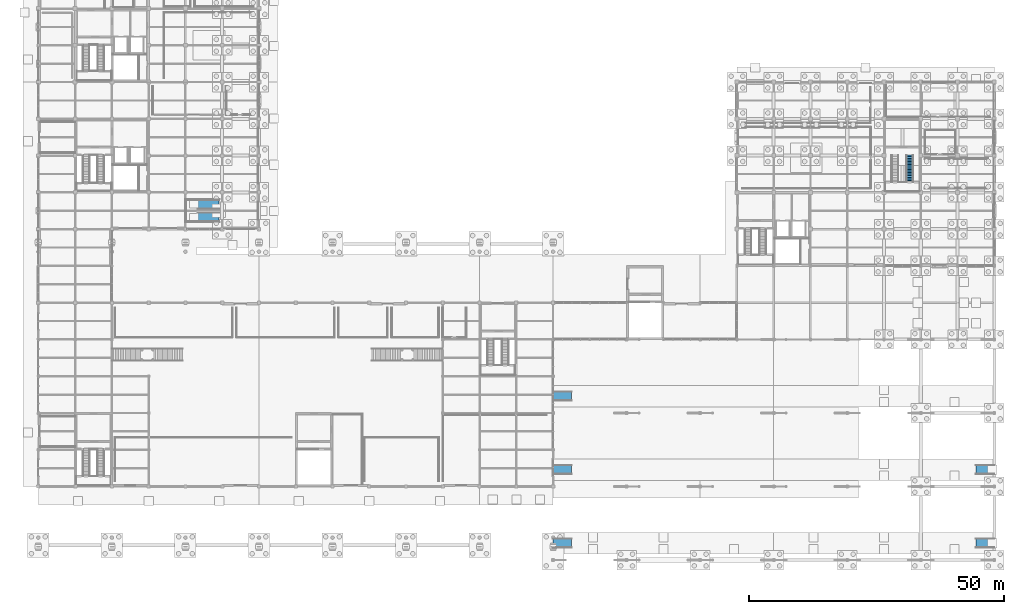
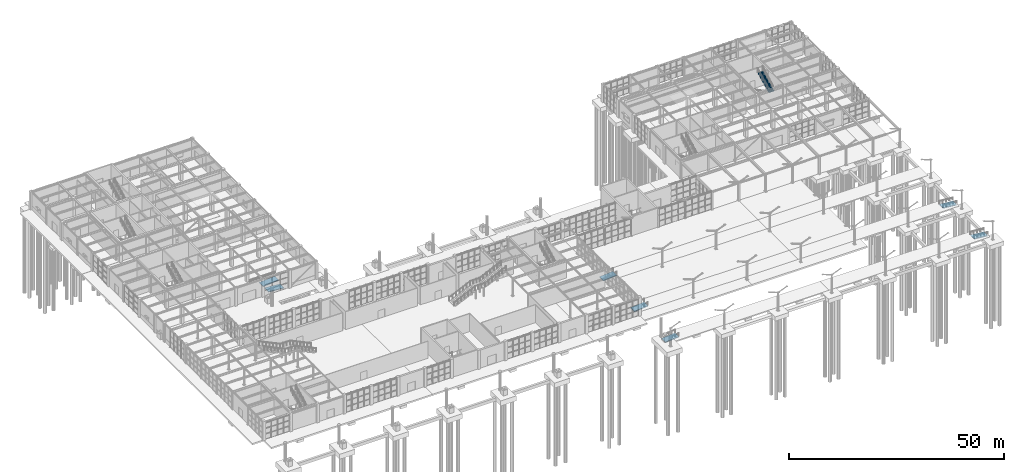
# One storey, part 65 of 75: 7 ramp flights, 1 stair flight, 7 elements without a shape of their own.
"""IFC4 building model written with IfcOpenShell, lengths in metres."""

from ifc_helpers import new_model, si_unit, direction, frame, origin, place, context, subcontext, project, spatial, polyline, outline, extrude, material, layer, layer_set, type_object, element, aggregate, save


model = new_model("IFC4")

# Units and contexts
model_context = context("Model", 3, precision=1e-05, world=origin(), true_north=direction((0.0, 1.0)))
body_context = subcontext(model_context, "Body", "Model", "MODEL_VIEW")
ifc_project = project(units=[si_unit("LENGTHUNIT", "METRE"), si_unit("AREAUNIT", "SQUARE_METRE"), si_unit("VOLUMEUNIT", "CUBIC_METRE"), si_unit("PLANEANGLEUNIT", "RADIAN"), si_unit("MASSUNIT", "GRAM", prefix="KILO")], contexts=[model_context])

# Site, building, storey
site_placement = place(None, origin())
site = spatial("IfcSite", under=ifc_project, at=site_placement, CompositionType="ELEMENT")
building_placement = place(site_placement, origin())
building = spatial("IfcBuilding", under=site, at=building_placement, Name="Leyfeld Transit Interchange", CompositionType="ELEMENT")
storey_placement = place(building_placement, origin())
storey = spatial("IfcBuildingStorey", under=building, at=storey_placement, Name="L00", CompositionType="ELEMENT", Elevation=0.0)

# Stair, stair flight
ifc_material_1 = material(Name="Precast concrete C40/50", Category="concrete")
stair_type = type_object("IfcStairType", Name="STR-HT-150x310", PredefinedType="HALF_TURN_STAIR", material=ifc_material_1)
stair_placement = place(storey_placement, origin())
stair = element("IfcStair", 1, at=stair_placement, inside=storey, type_object=stair_type, Name="Exit Stair ST-05 (L00 to L01)", PredefinedType="HALF_TURN_STAIR")
ifc_layer_1 = layer(ifc_material_1, 0.199951171875, Name="Precast concrete C40/50")
ifc_layer_set_1 = layer_set([ifc_layer_1], Name="Precast concrete C40/50")
stair_flight_type = type_object("IfcStairFlightType", Name="FLT-1400", PredefinedType="STRAIGHT", material=ifc_layer_set_1)
stair_flight_placement = place(storey_placement, frame((170.64990234375, 74.030029296875, 2.699951171875), z_axis=(0.0, 0.0, 1.0), x_axis=(0.0, 1.0, 0.0)))
stair_flight = element("IfcStairFlight", 2, at=stair_flight_placement, type_object=stair_flight_type, Name="Stair ST-05 L00 Flight 2", NumberOfRisers=18, NumberOfTreads=17, PredefinedType="STRAIGHT", RiserHeight=0.15, TreadLength=0.31, context=body_context, shape_type="SweptSolid", body=[
    extrude(outline(polyline([(0.0, 0.0), (0.0, 0.14990234375), (0.31005859375, 0.14990234375), (0.31005859375, 0.300048828125), (0.6201171875, 0.300048828125), (0.6201171875, 0.449951171875), (0.929931640625, 0.449951171875), (0.929931640625, 0.60009765625), (1.239990234375, 0.60009765625), (1.239990234375, 0.75), (1.550048828125, 0.75), (1.550048828125, 0.89990234375), (1.860107421875, 0.89990234375), (1.860107421875, 1.050048828125), (2.169921875, 1.050048828125), (2.169921875, 1.199951171875), (2.47998046875, 1.199951171875), (2.47998046875, 1.35009765625), (2.7900390625, 1.35009765625), (2.7900390625, 1.5), (3.10009765625, 1.5), (3.10009765625, 1.64990234375), (3.409912109375, 1.64990234375), (3.409912109375, 1.800048828125), (3.719970703125, 1.800048828125), (3.719970703125, 1.949951171875), (4.030029296875, 1.949951171875), (4.030029296875, 2.10009765625), (4.340087890625, 2.10009765625), (4.340087890625, 2.25), (4.64990234375, 2.25), (4.64990234375, 2.39990234375), (4.9599609375, 2.39990234375), (4.9599609375, 2.550048828125), (5.27001953125, 2.550048828125), (5.27001953125, 2.699951171875), (5.27001953125, 2.327880859375), (0.458984375, 0.0), (0.0, 0.0)])), frame((0.0, 0.699951171875, 0.0), z_axis=(0.0, -1.0, 0.0), x_axis=(1.0, 0.0, 0.0)), (0.0, 0.0, 1.0), 1.39990234375),
])
aggregate(stair, [stair_flight])

# Ramp, ramp flight
ifc_material_2 = material(Name="Concrete C35/45", Category="concrete")
ramp_type_1 = type_object("IfcRampType", Name="RMP-ACC-SR", PredefinedType="STRAIGHT_RUN_RAMP", material=ifc_material_2)
ramp_1_placement = place(storey_placement, origin())
ramp_1 = element("IfcRamp", 3, at=ramp_1_placement, inside=storey, type_object=ramp_type_1, Name="Bus Platform ISL1W Accessible Kerb Ramp", PredefinedType="STRAIGHT_RUN_RAMP")
ifc_layer_2 = layer(ifc_material_2, 0.219970703125, Name="Concrete C35/45")
ifc_layer_set_2 = layer_set([ifc_layer_2], Name="Concrete C35/45")
ramp_flight_type_1 = type_object("IfcRampFlightType", Name="RFLT-ACC-1800", PredefinedType="STRAIGHT", material=ifc_layer_set_2)
ramp_flight_1_placement = place(storey_placement, frame((100.800048828125, 3.300048828125, -0.300048828125), z_axis=(0.0, 0.0, 1.0), x_axis=(1.0, 0.0, 0.0)))
ramp_flight_1 = element("IfcRampFlight", 4, at=ramp_flight_1_placement, type_object=ramp_flight_type_1, Name="Bus Platform ISL1W Accessible 1:12 Ramp Flight", PredefinedType="STRAIGHT", context=body_context, shape_type="SweptSolid", body=[
    extrude(outline(polyline([(0.0, 0.0), (3.599853515625, 0.300048828125), (3.599853515625, 0.080078125), (0.0, -0.219970703125), (0.0, 0.0)])), frame((0.0, 0.89990234375, 0.0), z_axis=(0.0, -1.0, 0.0), x_axis=(1.0, 0.0, 0.0)), (0.0, 0.0, 1.0), 1.800048828125),
])
aggregate(ramp_1, [ramp_flight_1])

ramp_2_placement = place(storey_placement, origin())
ramp_2 = element("IfcRamp", 5, at=ramp_2_placement, inside=storey, type_object=ramp_type_1, Name="Bus Platform ISL2W Accessible Kerb Ramp", PredefinedType="STRAIGHT_RUN_RAMP")
ramp_flight_2_placement = place(storey_placement, frame((100.800048828125, 17.699951171875, -0.300048828125), z_axis=(0.0, 0.0, 1.0), x_axis=(1.0, 0.0, 0.0)))
ramp_flight_2 = element("IfcRampFlight", 6, at=ramp_flight_2_placement, type_object=ramp_flight_type_1, Name="Bus Platform ISL2W Accessible 1:12 Ramp Flight", PredefinedType="STRAIGHT", context=body_context, shape_type="SweptSolid", body=[
    extrude(outline(polyline([(0.0, 0.0), (3.599853515625, 0.300048828125), (3.599853515625, 0.080078125), (0.0, -0.219970703125), (0.0, 0.0)])), frame((0.0, 0.89990234375, 0.0), z_axis=(0.0, -1.0, 0.0), x_axis=(1.0, 0.0, 0.0)), (0.0, 0.0, 1.0), 1.800048828125),
])
aggregate(ramp_2, [ramp_flight_2])

ramp_3_placement = place(storey_placement, origin())
ramp_3 = element("IfcRamp", 7, at=ramp_3_placement, inside=storey, type_object=ramp_type_1, Name="Bus Platform ISL3W Accessible Kerb Ramp", PredefinedType="STRAIGHT_RUN_RAMP")
ramp_flight_3_placement = place(storey_placement, frame((100.800048828125, 32.10009765625, -0.300048828125), z_axis=(0.0, 0.0, 1.0), x_axis=(1.0, 0.0, 0.0)))
ramp_flight_3 = element("IfcRampFlight", 8, at=ramp_flight_3_placement, type_object=ramp_flight_type_1, Name="Bus Platform ISL3W Accessible 1:12 Ramp Flight", PredefinedType="STRAIGHT", context=body_context, shape_type="SweptSolid", body=[
    extrude(outline(polyline([(0.0, 0.0), (3.599853515625, 0.300048828125), (3.599853515625, 0.080078125), (0.0, -0.219970703125), (0.0, 0.0)])), frame((0.0, 0.89990234375, 0.0), z_axis=(0.0, -1.0, 0.0), x_axis=(1.0, 0.0, 0.0)), (0.0, 0.0, 1.0), 1.800048828125),
])
aggregate(ramp_3, [ramp_flight_3])

ramp_4_placement = place(storey_placement, origin())
ramp_4 = element("IfcRamp", 9, at=ramp_4_placement, inside=storey, type_object=ramp_type_1, Name="Bus Platform ISL1E Accessible Kerb Ramp", PredefinedType="STRAIGHT_RUN_RAMP")
ramp_flight_4_placement = place(storey_placement, frame((187.199951171875, 3.300048828125, -0.300048828125), z_axis=(0.0, 0.0, 1.0), x_axis=(-1.0, 0.0, 0.0)))
ramp_flight_4 = element("IfcRampFlight", 10, at=ramp_flight_4_placement, type_object=ramp_flight_type_1, Name="Bus Platform ISL1E Accessible 1:12 Ramp Flight", PredefinedType="STRAIGHT", context=body_context, shape_type="SweptSolid", body=[
    extrude(outline(polyline([(0.0, 0.0), (3.599853515625, 0.300048828125), (3.599853515625, 0.080078125), (0.0, -0.219970703125), (0.0, 0.0)])), frame((0.0, 0.89990234375, 0.0), z_axis=(0.0, -1.0, 0.0), x_axis=(1.0, 0.0, 0.0)), (0.0, 0.0, 1.0), 1.800048828125),
])
aggregate(ramp_4, [ramp_flight_4])

ramp_5_placement = place(storey_placement, origin())
ramp_5 = element("IfcRamp", 11, at=ramp_5_placement, inside=storey, type_object=ramp_type_1, Name="Bus Platform ISL2E Accessible Kerb Ramp", PredefinedType="STRAIGHT_RUN_RAMP")
ramp_flight_5_placement = place(storey_placement, frame((187.199951171875, 17.699951171875, -0.300048828125), z_axis=(0.0, 0.0, 1.0), x_axis=(-1.0, 0.0, 0.0)))
ramp_flight_5 = element("IfcRampFlight", 12, at=ramp_flight_5_placement, type_object=ramp_flight_type_1, Name="Bus Platform ISL2E Accessible 1:12 Ramp Flight", PredefinedType="STRAIGHT", context=body_context, shape_type="SweptSolid", body=[
    extrude(outline(polyline([(0.0, 0.0), (3.599853515625, 0.300048828125), (3.599853515625, 0.080078125), (0.0, -0.219970703125), (0.0, 0.0)])), frame((0.0, 0.89990234375, 0.0), z_axis=(0.0, -1.0, 0.0), x_axis=(1.0, 0.0, 0.0)), (0.0, 0.0, 1.0), 1.800048828125),
])
aggregate(ramp_5, [ramp_flight_5])

# Ramp, ramp flights
ramp_type_2 = type_object("IfcRampType", Name="RMP-CYC-HT", PredefinedType="HALF_TURN_RAMP", material=ifc_material_2)
ramp_6_placement = place(storey_placement, origin())
ramp_6 = element("IfcRamp", 13, at=ramp_6_placement, inside=storey, type_object=ramp_type_2, Name="Cycle Hub 1:12 Ramp L00", PredefinedType="HALF_TURN_RAMP")
ifc_layer_3 = layer(ifc_material_2, 0.25, Name="Concrete C35/45")
ifc_layer_set_3 = layer_set([ifc_layer_3], Name="Concrete C35/45")
ramp_flight_type_2 = type_object("IfcRampFlightType", Name="RFLT-CYC-1800", PredefinedType="STRAIGHT", material=ifc_layer_set_3)
ramp_flight_6_placement = place(storey_placement, frame((35.39990234375, 67.14990234375, -0.699951171875), z_axis=(0.0, 0.0, 1.0), x_axis=(-1.0, 0.0, 0.0)))
ramp_flight_6 = element("IfcRampFlight", 14, at=ramp_flight_6_placement, type_object=ramp_flight_type_2, Name="Cycle Ramp L00 Flight 1", PredefinedType="STRAIGHT", context=body_context, shape_type="SweptSolid", body=[
    extrude(outline(polyline([(0.0, 0.0), (4.199951171875, 0.349853515625), (4.199951171875, 0.14990234375), (0.0, -0.199951171875), (0.0, 0.0)])), frame((0.0, 0.89990234375, 0.0), z_axis=(0.0, -1.0, 0.0), x_axis=(1.0, 0.0, 0.0)), (0.0, 0.0, 1.0), 1.800048828125),
])
ramp_flight_7_placement = place(storey_placement, frame((31.199951171875, 69.64990234375, -0.35009765625), z_axis=(0.0, 0.0, 1.0), x_axis=(1.0, 0.0, 0.0)))
ramp_flight_7 = element("IfcRampFlight", 15, at=ramp_flight_7_placement, type_object=ramp_flight_type_2, Name="Cycle Ramp L00 Flight 2", PredefinedType="STRAIGHT", context=body_context, shape_type="SweptSolid", body=[
    extrude(outline(polyline([(0.0, 0.0), (4.199951171875, 0.35009765625), (4.199951171875, 0.150146484375), (0.0, -0.199951171875), (0.0, 0.0)])), frame((0.0, 0.89990234375, 0.0), z_axis=(0.0, -1.0, 0.0), x_axis=(1.0, 0.0, 0.0)), (0.0, 0.0, 1.0), 1.800048828125),
])
aggregate(ramp_6, [ramp_flight_6, ramp_flight_7])

save(model, "model.ifc")
